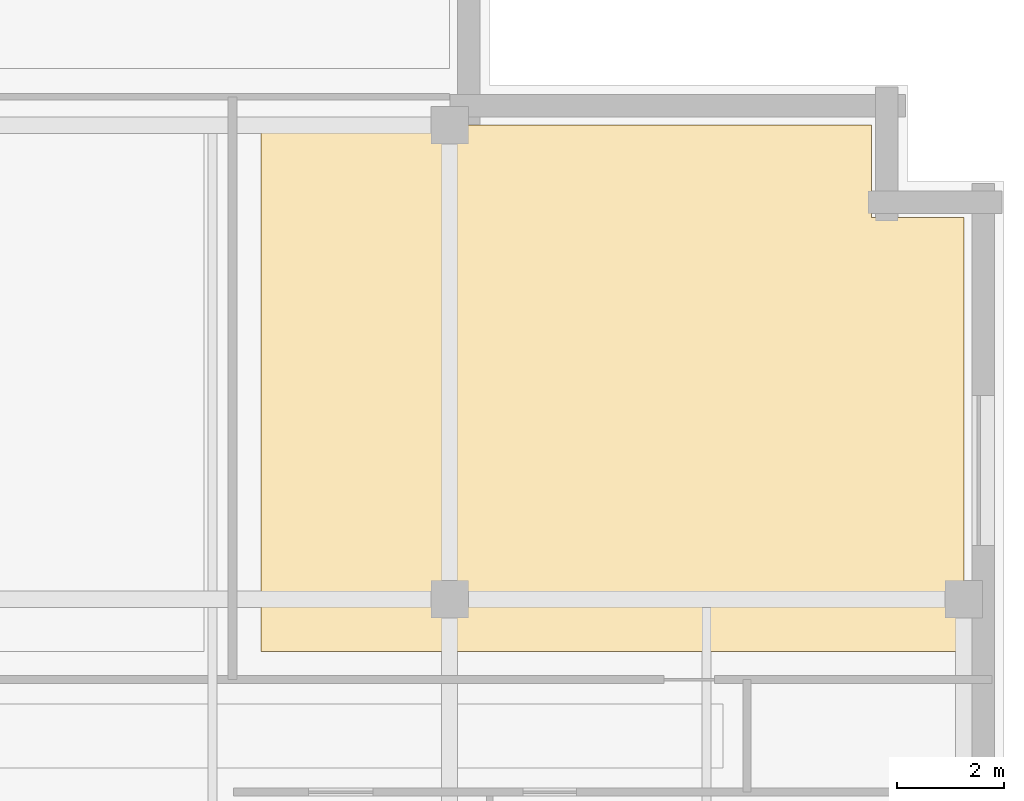
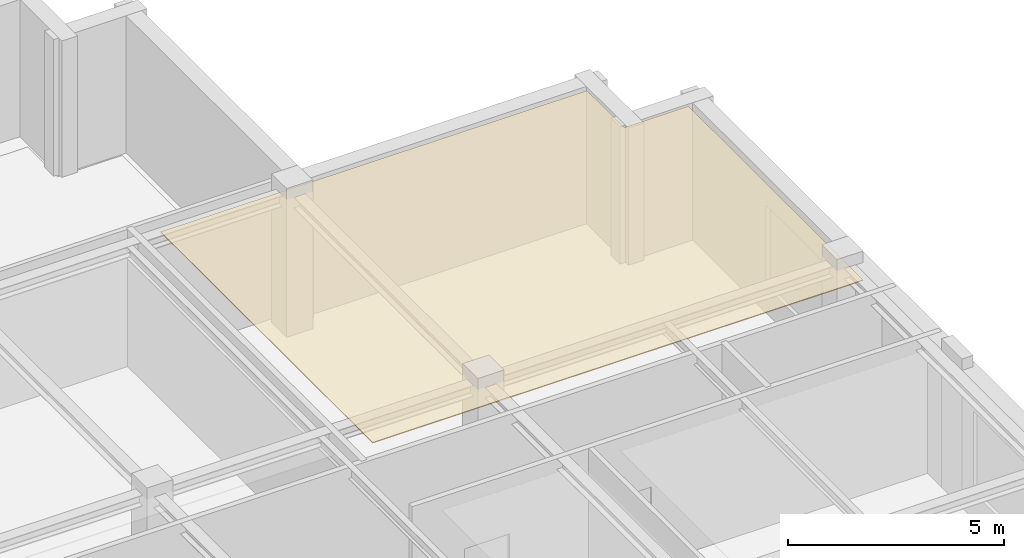
# One storey, part 9 of 10: 1 covering.
"""IFC4 building model written with IfcOpenShell, lengths in metres."""

from ifc_helpers import new_model, si_unit, direction, frame, origin, place, context, subcontext, project, spatial, polyline, outline, extrude, material, layer, layer_set, type_object, element, save


model = new_model("IFC4")

# Units and contexts
model_context = context("Model", 3, precision=1e-05, world=origin(), true_north=direction((0.0, 1.0)))
body_context = subcontext(model_context, "Body", "Model", "MODEL_VIEW")
ifc_project = project(units=[si_unit("LENGTHUNIT", "METRE"), si_unit("AREAUNIT", "SQUARE_METRE"), si_unit("VOLUMEUNIT", "CUBIC_METRE"), si_unit("PLANEANGLEUNIT", "RADIAN"), si_unit("MASSUNIT", "GRAM", prefix="KILO")], contexts=[model_context])

# Site, building, storey
site_placement = place(None, origin())
site = spatial("IfcSite", under=ifc_project, at=site_placement, CompositionType="ELEMENT")
building_placement = place(site_placement, origin())
building = spatial("IfcBuilding", under=site, at=building_placement, Name="Norrvale University Quadrangle", CompositionType="ELEMENT")
storey_placement = place(building_placement, frame((0.0, 0.0, 303.800048828125)))
storey = spatial("IfcBuildingStorey", under=building, at=storey_placement, Name="L77", CompositionType="ELEMENT", Elevation=303.800048828125)

# Covering
ifc_material = material(Name="Perforated Acoustic Mineral Ceiling")
ifc_layer = layer(ifc_material, 0.02490234375, Name="Perforated Acoustic Mineral Ceiling")
ifc_layer_set = layer_set([ifc_layer], Name="Perforated Acoustic Mineral Ceiling")
covering_type = type_object("IfcCoveringType", Name="Covering Acoustic Ceiling 25", PredefinedType="CEILING", material=ifc_layer_set)
covering_placement = place(storey_placement, frame((0.0, 0.0, 3.85498046875)))
element("IfcCovering", 1, at=covering_placement, inside=storey, type_object=covering_type, Name="Acoustic Ceiling RM-L77-ME02", PredefinedType="CEILING", context=body_context, shape_type="SweptSolid", body=[
    extrude(outline(polyline([(47.25, 27.830078125), (34.1298828125, 27.830078125), (34.1298828125, 37.64990234375), (45.530029296875, 37.64990234375), (45.530029296875, 35.929931640625), (47.25, 35.929931640625), (47.25, 27.830078125)])), origin(), (0.0, 0.0, 1.0), 0.02490234375),
])

save(model, "model.ifc")
